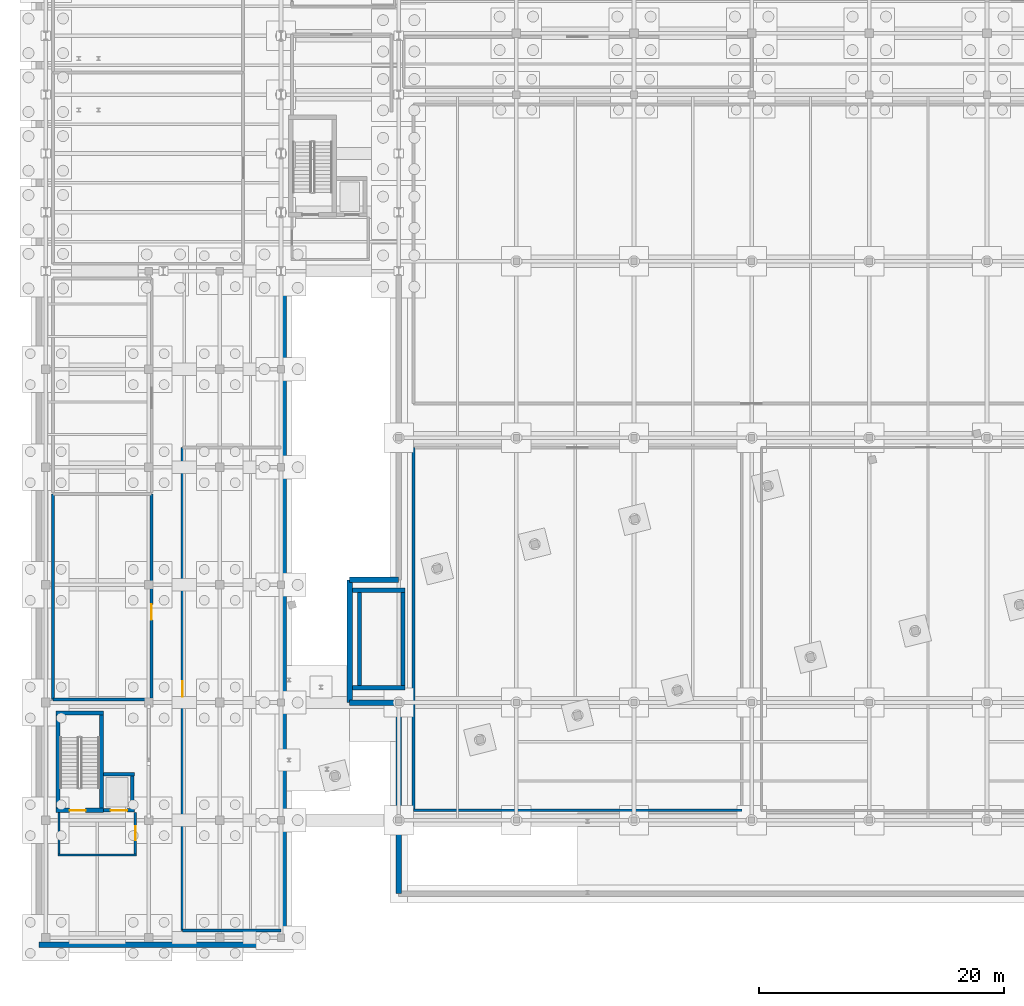
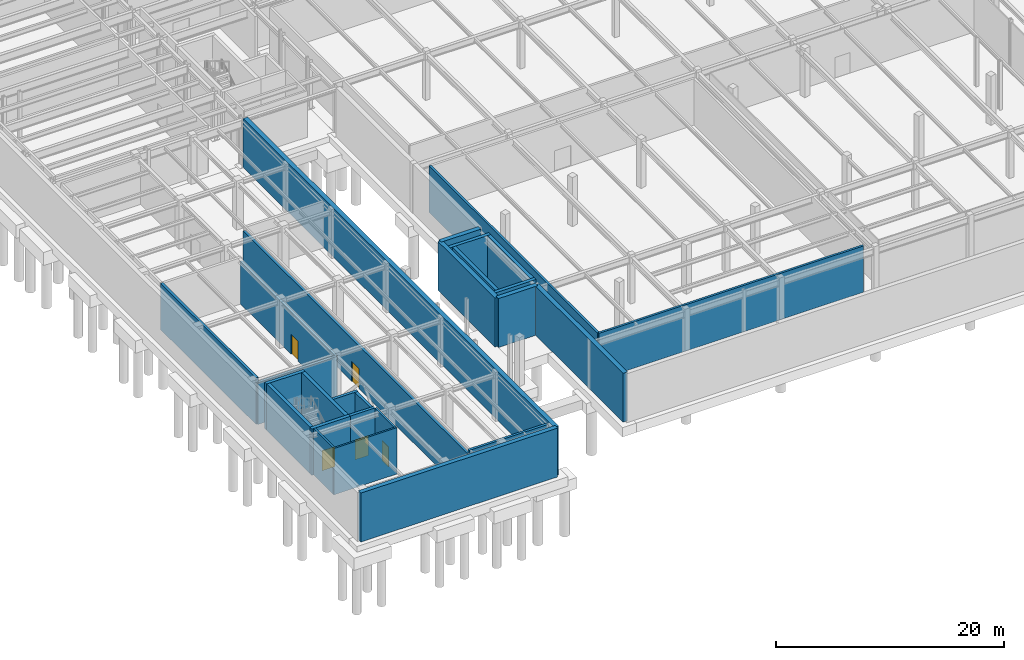
# One storey, part 22 of 33: 27 walls, 5 doors, 5 openings.
"""IFC4 building model written with IfcOpenShell, lengths in metres."""

import ifcopenshell
import ifcopenshell.guid

model = None  # the IFC model being written
_history = None  # IfcOwnerHistory: only IFC2X3 demands one
_inside = {}  # id of a spatial element -> (the spatial element, [elements in it])
_under = {}  # id of a project, library or spatial element -> (it, [spatial elements below it])
_declared = {}  # id of a project -> (the project, [libraries it declares])
_typed = {}  # id of a type object -> (the type object, [elements of that type])
_made_of = {}  # id of a material, layer set ... -> (it, [elements and type objects made of it])


def new_model(schema):
    """Start an empty IFC model of exactly this schema.

    Asked for "IFC4X3", IfcOpenShell would pick the latest addendum, in which some entities
    have other attributes; the version numbers below select the first issue.
    IFC2X3 requires an IfcOwnerHistory on every rooted entity: one is made here for all.
    """
    global model, _history
    if schema == "IFC4X3":
        model = ifcopenshell.file(schema_version=(4, 3, 0, 0))
    else:
        model = ifcopenshell.file(schema=schema)
    _inside.clear()
    _under.clear()
    _declared.clear()
    _typed.clear()
    _made_of.clear()
    _history = None
    if model.schema == "IFC2X3":
        org = make("IfcOrganization", Name="unknown")
        user = make(
            "IfcPersonAndOrganization",
            ThePerson=make("IfcPerson", FamilyName="unknown"),
            TheOrganization=org,
        )
        app = make(
            "IfcApplication",
            ApplicationDeveloper=org,
            Version="unknown",
            ApplicationFullName="unknown",
            ApplicationIdentifier="unknown",
        )
        _history = make(
            "IfcOwnerHistory",
            OwningUser=user,
            OwningApplication=app,
            ChangeAction="ADDED",
            CreationDate=0,
        )
    return model


def make(cls, **values):
    """One entity of the class cls with the attributes given. An attribute that is None is left unset."""
    return model.create_entity(
        cls, **{name: value for name, value in values.items() if value is not None}
    )


def rooted(cls, **values):
    """An entity with a GlobalId (a new one), such as an element, a storey or a relation."""
    return make(cls, GlobalId=ifcopenshell.guid.new(), OwnerHistory=_history, **values)


def si_unit(unit_type, name, prefix=None):
    """IfcSIUnit, for example si_unit("LENGTHUNIT", "METRE", prefix="MILLI")."""
    return make("IfcSIUnit", UnitType=unit_type, Prefix=prefix, Name=name)


def assignment(units):
    """IfcUnitAssignment: the units of a project."""
    return None if units is None else make("IfcUnitAssignment", Units=units)


def point(xyz):
    """IfcCartesianPoint."""
    return None if xyz is None else make("IfcCartesianPoint", Coordinates=xyz)


def direction(xyz):
    """IfcDirection."""
    return None if xyz is None else make("IfcDirection", DirectionRatios=xyz)


def frame(location, z_axis=None, x_axis=None):
    """IfcAxis2Placement3D, a coordinate frame: its origin and axes. An axis left out is left unset."""
    return make(
        "IfcAxis2Placement3D",
        Location=point(location),
        Axis=direction(z_axis),
        RefDirection=direction(x_axis),
    )


def frame_2d(location, x_axis=None):
    """IfcAxis2Placement2D, a coordinate frame in the plane: its origin and x axis."""
    return make(
        "IfcAxis2Placement2D", Location=point(location), RefDirection=direction(x_axis)
    )


def origin():
    """The frame at (0, 0, 0) with its axes left unset."""
    return frame((0.0, 0.0, 0.0))


def place(relative_to, where):
    """IfcLocalPlacement: puts the frame where relative to a parent placement (None: the world)."""
    return make(
        "IfcLocalPlacement", PlacementRelTo=relative_to, RelativePlacement=where
    )


def context(
    kind, dimensions, precision=None, world=None, true_north=None, identifier=None
):
    """IfcGeometricRepresentationContext, for example the 3D "Model" context."""
    return make(
        "IfcGeometricRepresentationContext",
        ContextIdentifier=identifier,
        ContextType=kind,
        CoordinateSpaceDimension=dimensions,
        Precision=precision,
        WorldCoordinateSystem=world,
        TrueNorth=true_north,
    )


def subcontext(parent, identifier, kind, view, scale=None):
    """IfcGeometricRepresentationSubContext, for example "Body" below "Model"."""
    return make(
        "IfcGeometricRepresentationSubContext",
        ContextIdentifier=identifier,
        ContextType=kind,
        ParentContext=parent,
        TargetScale=scale,
        TargetView=view,
    )


def project(units=None, contexts=None):
    """IfcProject with its units and contexts."""
    return rooted(
        "IfcProject",
        Name="project",
        RepresentationContexts=contexts,
        UnitsInContext=assignment(units),
    )


def spatial(cls, under=None, at=None, **own):
    """A site, building, storey or space (cls), placed at a placement, below another one or the project."""
    s = rooted(cls, ObjectPlacement=at, **own)
    if under is not None:
        _under.setdefault(under.id(), (under, []))[1].append(s)
    return s


def profile(cls, at=None, kind="AREA", **sizes):
    """A parametric profile (cls). Its sizes go by their IFC names, for example OverallWidth=200.0."""
    return make(cls, ProfileType=kind, Position=at, **sizes)


def rectangle(**sizes):
    """IfcRectangleProfileDef."""
    return profile("IfcRectangleProfileDef", **sizes)


def extrude(swept, where, along, depth):
    """IfcExtrudedAreaSolid: the profile swept, set in the frame where, extruded along a direction by depth."""
    return make(
        "IfcExtrudedAreaSolid",
        SweptArea=swept,
        Position=where,
        ExtrudedDirection=direction(along),
        Depth=depth,
    )


def shape(context_of_items, identifier, shape_type, items):
    """IfcShapeRepresentation: the items that make up one representation, for example the "Body"."""
    return make(
        "IfcShapeRepresentation",
        ContextOfItems=context_of_items,
        RepresentationIdentifier=identifier,
        RepresentationType=shape_type,
        Items=items,
    )


def material(Name=None, Category=None):
    """IfcMaterial."""
    return make("IfcMaterial", Name=Name, Category=Category)


def layer(
    of_material, thickness, ventilated=None, Name=None, Category=None, Priority=None
):
    """IfcMaterialLayer: one layer of a wall or slab, of a material (None: an air gap)."""
    return make(
        "IfcMaterialLayer",
        Material=of_material,
        LayerThickness=thickness,
        IsVentilated=ventilated,
        Name=Name,
        Category=Category,
        Priority=Priority,
    )


def layer_set(layers, Name=None):
    """IfcMaterialLayerSet."""
    return make("IfcMaterialLayerSet", MaterialLayers=layers, LayerSetName=Name)


def made_of(thing, what):
    """Note that an element or type object is made of a material, layer set ...; save() writes the relation."""
    if what is not None:
        _made_of.setdefault(what.id(), (what, []))[1].append(thing)
    return thing


def type_object(cls, material=None, **own):
    """A type object (cls), such as IfcWallType, which elements share."""
    return made_of(rooted(cls, **own), material)


def element(
    cls,
    number,
    at=None,
    inside=None,
    cuts=None,
    type_object=None,
    material=None,
    context=None,
    identifier="Body",
    shape_type=None,
    held_by="IfcProductDefinitionShape",
    body=None,
    shapes=None,
    **own,
):
    """One element of the class cls, such as IfcWall. Its Tag is "e" and its number.

    at: its placement. inside: the storey or other place that contains it. cuts: it is an
    opening in that element (IfcRelVoidsElement). A single representation is given by context,
    identifier, shape_type and body (its items); several are given by shapes. held_by: the class
    of the entity that holds the representations. save() writes the other relations.
    """
    e = rooted(cls, Tag="e%d" % number, ObjectPlacement=at, **own)
    if body is not None:
        shapes = [shape(context, identifier, shape_type, body)]
    if shapes is not None:
        e.Representation = make(held_by, Representations=shapes)
    if inside is not None:
        _inside.setdefault(inside.id(), (inside, []))[1].append(e)
    if cuts is not None:
        rooted(
            "IfcRelVoidsElement", RelatingBuildingElement=cuts, RelatedOpeningElement=e
        )
    if type_object is not None:
        _typed.setdefault(type_object.id(), (type_object, []))[1].append(e)
    return made_of(e, material)


def fill(opening, filler):
    """IfcRelFillsElement: the door or window that sits in an opening."""
    return rooted(
        "IfcRelFillsElement",
        RelatingOpeningElement=opening,
        RelatedBuildingElement=filler,
    )


def aggregate(whole, parts):
    """IfcRelAggregates: a whole, such as a stair, and the parts it consists of."""
    return rooted("IfcRelAggregates", RelatingObject=whole, RelatedObjects=parts)


def save(model, path):
    """Write the relations noted so far, then the file.

    IfcRelAggregates (storeys below a building ...), IfcRelContainedInSpatialStructure (elements
    in a storey), IfcRelDefinesByType, IfcRelAssociatesMaterial and IfcRelDeclares: one each for
    every whole, place, type object, material and project.
    """
    for whole, parts in _under.values():
        aggregate(whole, parts)
    for where, things in _inside.values():
        rooted(
            "IfcRelContainedInSpatialStructure",
            RelatedElements=things,
            RelatingStructure=where,
        )
    for kind, things in _typed.values():
        rooted("IfcRelDefinesByType", RelatedObjects=things, RelatingType=kind)
    for what, things in _made_of.values():
        rooted("IfcRelAssociatesMaterial", RelatedObjects=things, RelatingMaterial=what)
    for by, libraries in _declared.values():
        rooted("IfcRelDeclares", RelatingContext=by, RelatedDefinitions=libraries)
    model.write(path)


model = new_model("IFC4")

# Units and contexts
model_context = context("Model", 3, precision=1e-05, world=origin(), true_north=direction((0.0, 1.0)))
body_context = subcontext(model_context, "Body", "Model", "MODEL_VIEW")
ifc_project = project(units=[si_unit("LENGTHUNIT", "METRE"), si_unit("AREAUNIT", "SQUARE_METRE"), si_unit("VOLUMEUNIT", "CUBIC_METRE"), si_unit("PLANEANGLEUNIT", "RADIAN"), si_unit("MASSUNIT", "GRAM", prefix="KILO")], contexts=[model_context])

# Site, building, storey
site_placement = place(None, origin())
site = spatial("IfcSite", under=ifc_project, at=site_placement, CompositionType="ELEMENT")
building_placement = place(site_placement, origin())
building = spatial("IfcBuilding", under=site, at=building_placement, Name="Nordkorset Police Headquarters", CompositionType="ELEMENT")
storey_placement = place(building_placement, frame((0.0, 0.0, -9.800048828125)))
storey = spatial("IfcBuildingStorey", under=building, at=storey_placement, Name="B02", CompositionType="ELEMENT", Elevation=-9.800048828125)

# Walls
ifc_material_1 = material(Name="Gypsum board", Category="gypsum")
ifc_layer_1 = layer(ifc_material_1, 0.179931640625, Name="Gypsum board")
ifc_layer_set_1 = layer_set([ifc_layer_1], Name="Gypsum board")
wall_type_1 = type_object("IfcWallType", Name="Wall_Comp_180", PredefinedType="PARTITIONING", material=ifc_layer_set_1)
wall_1_placement = place(storey_placement, frame((1.0, 35.56005859375, 0.0), z_axis=(0.0, 0.0, 1.0), x_axis=(1.0, 0.0, 0.0)))
element("IfcWall", 1, at=wall_1_placement, inside=storey, type_object=wall_type_1, Name="Firefighting Lobby EI 60 Wall K4 B02 S", PredefinedType="PARTITIONING", context=body_context, shape_type="SweptSolid", body=[
    extrude(rectangle(XDim=6.39990234375, YDim=0.179931640625, at=frame_2d((3.199951171875, 0.0))), origin(), (0.0, 0.0, 1.0), 4.969970703125),
])
wall_2_placement = place(storey_placement, frame((1.090087890625, 35.64990234375, 0.0), z_axis=(0.0, 0.0, 1.0), x_axis=(0.0, 1.0, 0.0)))
element("IfcWall", 2, at=wall_2_placement, inside=storey, type_object=wall_type_1, Name="Firefighting Lobby EI 60 Wall K4 B02 W", PredefinedType="PARTITIONING", context=body_context, shape_type="SweptSolid", body=[
    extrude(rectangle(XDim=3.375, YDim=0.179931640625, at=frame_2d((1.6875, 0.0))), origin(), (0.0, 0.0, 1.0), 4.969970703125),
])

# Wall, opening, door
wall_3_placement = place(storey_placement, frame((7.31005859375, 35.64990234375, 0.0), z_axis=(0.0, 0.0, 1.0), x_axis=(0.0, 1.0, 0.0)))
wall_3 = element("IfcWall", 3, at=wall_3_placement, inside=storey, type_object=wall_type_1, Name="Firefighting Lobby EI 60 Wall K4 B02 E", PredefinedType="PARTITIONING", context=body_context, shape_type="SweptSolid", body=[
    extrude(rectangle(XDim=3.375, YDim=0.179931640625, at=frame_2d((1.6875, 0.0))), origin(), (0.0, 0.0, 1.0), 4.969970703125),
])
opening_1_placement = place(wall_3_placement, frame((1.112548828125, 0.0, 0.0)))
opening_1 = element("IfcOpeningElement", 4, at=opening_1_placement, cuts=wall_3, Name="Opening DR-01", PredefinedType="OPENING", context=body_context, shape_type="SweptSolid", body=[
    extrude(rectangle(XDim=1.14990234375, YDim=2.14990234375, at=frame_2d((0.574951171875, 1.074951171875))), frame((0.0, 0.10009765625, 0.0), z_axis=(0.0, -1.0, 0.0), x_axis=(1.0, 0.0, 0.0)), (0.0, 0.0, 1.0), 0.199951171875),
])
ifc_material_2 = material(Name="Steel S355J2", Category="steel")
door_type_1 = type_object("IfcDoorType", Name="Door_LobbySingle_1150x2150", OperationType="NOTDEFINED", PredefinedType="DOOR", material=ifc_material_2)
door_1_placement = place(opening_1_placement, origin())
door_1 = element("IfcDoor", 5, at=door_1_placement, inside=storey, type_object=door_type_1, Name="Firefighting Lobby Smoke Door K4 B02 E", OperationType="SINGLE_SWING_LEFT", OverallHeight=2.14990234375, OverallWidth=1.14990234375, PredefinedType="DOOR", context=body_context, shape_type="SweptSolid", body=[
    extrude(rectangle(XDim=1.14990234375, YDim=2.14990234375, at=frame_2d((0.574951171875, 1.074951171875))), frame((0.0, 0.02490234375, 0.0), z_axis=(0.0, -1.0, 0.0), x_axis=(1.0, 0.0, 0.0)), (0.0, 0.0, 1.0), 0.050048828125),
])
fill(opening_1, door_1)

# Walls
ifc_material_3 = material(Name="Gypsum board", Category="gypsum")
ifc_layer_2 = layer(ifc_material_3, 0.219970703125, Name="Gypsum board")
ifc_layer_set_2 = layer_set([ifc_layer_2], Name="Gypsum board")
wall_type_2 = type_object("IfcWallType", Name="Wall_Comp_220", PredefinedType="PARTITIONING", material=ifc_layer_set_2)
wall_4_placement = place(storey_placement, frame((30.0, 39.199951171875, 0.0), z_axis=(0.0, 0.0, 1.0), x_axis=(1.0, 0.0, 0.0)))
element("IfcWall", 6, at=wall_4_placement, inside=storey, type_object=wall_type_2, Name="Interior Partition Wall Basement Air Handling Plant Room", PredefinedType="PARTITIONING", context=body_context, shape_type="SweptSolid", body=[
    extrude(rectangle(XDim=26.800048828125, YDim=0.219970703125, at=frame_2d((13.39990234375, 0.0))), origin(), (0.0, 0.0, 1.0), 4.969970703125),
])
wall_5_placement = place(storey_placement, frame((30.0, 68.800048828125, 0.0), z_axis=(0.0, 0.0, 1.0), x_axis=(0.0, -1.0, 0.0)))
element("IfcWall", 7, at=wall_5_placement, inside=storey, type_object=wall_type_2, Name="Interior Partition Wall Basement Air Handling Plant Room", PredefinedType="PARTITIONING", context=body_context, shape_type="SweptSolid", body=[
    extrude(rectangle(XDim=29.60009765625, YDim=0.219970703125, at=frame_2d((14.800048828125, 0.0))), origin(), (0.0, 0.0, 1.0), 4.969970703125),
])

# Wall, opening, door
ifc_material_4 = material(Name="Concrete C35/45", Category="concrete")
ifc_layer_3 = layer(ifc_material_4, 0.35009765625, Name="Concrete C35/45")
ifc_layer_set_3 = layer_set([ifc_layer_3], Name="Concrete C35/45")
wall_type_3 = type_object("IfcWallType", Name="Wall_CoreShear_350", PredefinedType="SHEAR", material=ifc_layer_set_3)
wall_6_placement = place(storey_placement, frame((0.824951171875, 39.199951171875, 0.0), z_axis=(0.0, 0.0, 1.0), x_axis=(1.0, 0.0, 0.0)))
wall_6 = element("IfcWall", 8, at=wall_6_placement, inside=storey, type_object=wall_type_3, Name="Core K4 Stair Shaft South Shear Wall B02", PredefinedType="SHEAR", context=body_context, shape_type="SweptSolid", body=[
    extrude(rectangle(XDim=3.900146484375, YDim=0.35009765625, at=frame_2d((1.9501953125, 0.0))), origin(), (0.0, 0.0, 1.0), 4.969970703125),
])
opening_2_placement = place(wall_6_placement, frame((1.125, 0.0, 0.0)))
opening_2 = element("IfcOpeningElement", 9, at=opening_2_placement, cuts=wall_6, Name="Opening DR-20", PredefinedType="OPENING", context=body_context, shape_type="SweptSolid", body=[
    extrude(rectangle(XDim=1.300048828125, YDim=2.14990234375, at=frame_2d((0.64990234375, 1.074951171875))), frame((0.0, 0.18505859375, 0.0), z_axis=(0.0, -1.0, 0.0), x_axis=(1.0, 0.0, 0.0)), (0.0, 0.0, 1.0), 0.3701171875),
])
ifc_material_5 = material(Name="Steel S355J2", Category="steel")
door_type_2 = type_object("IfcDoorType", Name="Door_Stair_1300x2150", OperationType="NOTDEFINED", PredefinedType="DOOR", material=ifc_material_5)
door_2_placement = place(opening_2_placement, frame((1.300048828125, 0.0, 0.0), z_axis=(0.0, 0.0, 1.0), x_axis=(-1.0, 0.0, 0.0)))
door_2 = element("IfcDoor", 10, at=door_2_placement, inside=storey, type_object=door_type_2, Name="Protected Stair Fire Door ST-04 B02", OperationType="SINGLE_SWING_RIGHT", OverallHeight=2.14990234375, OverallWidth=1.300048828125, PredefinedType="DOOR", context=body_context, shape_type="SweptSolid", body=[
    extrude(rectangle(XDim=1.300048828125, YDim=2.14990234375, at=frame_2d((0.64990234375, 1.074951171875))), frame((0.0, 0.02490234375, 0.0), z_axis=(0.0, -1.0, 0.0), x_axis=(1.0, 0.0, 0.0)), (0.0, 0.0, 1.0), 0.050048828125),
])
fill(opening_2, door_2)

# Walls
wall_7_placement = place(storey_placement, frame((0.824951171875, 47.14990234375, 0.0), z_axis=(0.0, 0.0, 1.0), x_axis=(1.0, 0.0, 0.0)))
element("IfcWall", 11, at=wall_7_placement, inside=storey, type_object=wall_type_3, Name="Core K4 Stair Shaft North Shear Wall B02", PredefinedType="SHEAR", context=body_context, shape_type="SweptSolid", body=[
    extrude(rectangle(XDim=3.900146484375, YDim=0.35009765625, at=frame_2d((1.9501953125, 0.0))), origin(), (0.0, 0.0, 1.0), 4.969970703125),
])
for number, where, z_axis, x_axis, name in (
    (12, (1.0, 39.375, 0.0), (0.0, 0.0, 1.0), (0.0, 1.0, 0.0), "Core K4 Stair Shaft West Shear Wall B02"),
    (13, (4.550048828125, 39.375, 0.0), (0.0, 0.0, 1.0), (0.0, 1.0, 0.0), "Core K4 Stair Shaft East Shear Wall B02"),
):
    element("IfcWall", number, at=place(storey_placement, frame(where, z_axis=z_axis, x_axis=x_axis)), inside=storey, type_object=wall_type_3, Name=name, PredefinedType="SHEAR", context=body_context, shape_type="SweptSolid", body=[
        extrude(rectangle(XDim=7.60009765625, YDim=0.35009765625, at=frame_2d((3.800048828125, 0.0))), origin(), (0.0, 0.0, 1.0), 4.969970703125),
    ])
for number, where, z_axis, x_axis, name in (
    (14, (25.02490234375, 49.199951171875, 0.0), (0.0, 0.0, 1.0), (1.0, 0.0, 0.0), "Core K7 Stair Shaft South Shear Wall B02"),
    (15, (25.02490234375, 57.14990234375, 0.0), (0.0, 0.0, 1.0), (1.0, 0.0, 0.0), "Core K7 Stair Shaft North Shear Wall B02"),
):
    element("IfcWall", number, at=place(storey_placement, frame(where, z_axis=z_axis, x_axis=x_axis)), inside=storey, type_object=wall_type_3, Name=name, PredefinedType="SHEAR", context=body_context, shape_type="SweptSolid", body=[
        extrude(rectangle(XDim=4.300048828125, YDim=0.35009765625, at=frame_2d((2.14990234375, 0.0))), origin(), (0.0, 0.0, 1.0), 4.969970703125),
    ])
for number, where, z_axis, x_axis, name in (
    (16, (25.60009765625, 49.375, 0.0), (0.0, 0.0, 1.0), (0.0, 1.0, 0.0), "Core K7 Stair Shaft West Shear Wall B02"),
    (17, (29.14990234375, 49.375, 0.0), (0.0, 0.0, 1.0), (0.0, 1.0, 0.0), "Core K7 Stair Shaft East Shear Wall B02"),
):
    element("IfcWall", number, at=place(storey_placement, frame(where, z_axis=z_axis, x_axis=x_axis)), inside=storey, type_object=wall_type_3, Name=name, PredefinedType="SHEAR", context=body_context, shape_type="SweptSolid", body=[
        extrude(rectangle(XDim=7.60009765625, YDim=0.35009765625, at=frame_2d((3.800048828125, 0.0))), origin(), (0.0, 0.0, 1.0), 4.969970703125),
    ])
ifc_material_6 = material(Name="Concrete C40/50", Category="concrete")
ifc_layer_4 = layer(ifc_material_6, 0.449951171875, Name="Concrete C40/50")
ifc_layer_set_4 = layer_set([ifc_layer_4], Name="Concrete C40/50")
wall_type_4 = type_object("IfcWallType", Name="Wall_Retaining_450", PredefinedType="USERDEFINED", material=ifc_layer_set_4)
wall_8_placement = place(storey_placement, frame((-0.550048828125, 28.25, 0.0), z_axis=(0.0, 0.0, 1.0), x_axis=(1.0, 0.0, 0.0)))
element("IfcWall", 18, at=wall_8_placement, inside=storey, type_object=wall_type_4, Name="Basement Perimeter Retaining Wall B02 W-S1", ObjectType="RETAINING WALL", PredefinedType="USERDEFINED", context=body_context, shape_type="SweptSolid", body=[
    extrude(rectangle(XDim=19.949951171875, YDim=0.449951171875, at=frame_2d((9.97509765625, 0.0))), origin(), (0.0, 0.0, 1.0), 5.25),
])
wall_9_placement = place(storey_placement, frame((19.39990234375, 28.25, 0.0), z_axis=(0.0, 0.0, 1.0), x_axis=(0.0, 1.0, 0.0)))
element("IfcWall", 19, at=wall_9_placement, inside=storey, type_object=wall_type_4, Name="Basement Perimeter Retaining Wall B02 W-S2A", ObjectType="RETAINING WALL", PredefinedType="USERDEFINED", context=body_context, shape_type="SweptSolid", body=[
    extrude(rectangle(XDim=54.625, YDim=0.449951171875, at=frame_2d((27.3125, 0.0))), origin(), (0.0, 0.0, 1.0), 5.25),
])
wall_10_placement = place(storey_placement, frame((28.800048828125, 32.39990234375, 0.0), z_axis=(0.0, 0.0, 1.0), x_axis=(0.0, 1.0, 0.0)))
element("IfcWall", 20, at=wall_10_placement, inside=storey, type_object=wall_type_4, Name="Basement Perimeter Retaining Wall B02 W-S2B", ObjectType="RETAINING WALL", PredefinedType="USERDEFINED", context=body_context, shape_type="SweptSolid", body=[
    extrude(rectangle(XDim=15.60009765625, YDim=0.449951171875, at=frame_2d((7.800048828125, 0.0))), origin(), (0.0, 0.0, 1.0), 5.25),
])
wall_11_placement = place(storey_placement, frame((24.800048828125, 48.0, 0.0), z_axis=(0.0, 0.0, 1.0), x_axis=(1.0, 0.0, 0.0)))
element("IfcWall", 21, at=wall_11_placement, inside=storey, type_object=wall_type_4, Name="Basement Perimeter Retaining Wall B02 W-S2C", ObjectType="RETAINING WALL", PredefinedType="USERDEFINED", context=body_context, shape_type="SweptSolid", body=[
    extrude(rectangle(XDim=4.0, YDim=0.449951171875, at=frame_2d((2.0, 0.0))), origin(), (0.0, 0.0, 1.0), 5.25),
])
wall_12_placement = place(storey_placement, frame((24.800048828125, 48.0, 0.0), z_axis=(0.0, 0.0, 1.0), x_axis=(0.0, 1.0, 0.0)))
element("IfcWall", 22, at=wall_12_placement, inside=storey, type_object=wall_type_4, Name="Basement Perimeter Retaining Wall B02 W-S2D", ObjectType="RETAINING WALL", PredefinedType="USERDEFINED", context=body_context, shape_type="SweptSolid", body=[
    extrude(rectangle(XDim=10.0, YDim=0.449951171875, at=frame_2d((5.0, 0.0))), origin(), (0.0, 0.0, 1.0), 5.25),
])
wall_13_placement = place(storey_placement, frame((24.800048828125, 58.0, 0.0), z_axis=(0.0, 0.0, 1.0), x_axis=(1.0, 0.0, 0.0)))
element("IfcWall", 23, at=wall_13_placement, inside=storey, type_object=wall_type_4, Name="Basement Perimeter Retaining Wall B02 W-S2E", ObjectType="RETAINING WALL", PredefinedType="USERDEFINED", context=body_context, shape_type="SweptSolid", body=[
    extrude(rectangle(XDim=4.0, YDim=0.449951171875, at=frame_2d((2.0, 0.0))), origin(), (0.0, 0.0, 1.0), 5.25),
])

# Wall, opening, door
ifc_material_7 = material(Name="Concrete C35/45", Category="concrete")
ifc_layer_5 = layer(ifc_material_7, 0.300048828125, Name="Concrete C35/45")
ifc_layer_set_5 = layer_set([ifc_layer_5], Name="Concrete C35/45")
wall_type_5 = type_object("IfcWallType", Name="Wall_ShaftShear_300", PredefinedType="SHEAR", material=ifc_layer_set_5)
wall_14_placement = place(storey_placement, frame((4.72509765625, 39.199951171875, 0.0), z_axis=(0.0, 0.0, 1.0), x_axis=(1.0, 0.0, 0.0)))
wall_14 = element("IfcWall", 24, at=wall_14_placement, inside=storey, type_object=wall_type_5, Name="Lift Shaft LF-06 Front Shear Wall B02", PredefinedType="SHEAR", context=body_context, shape_type="SweptSolid", body=[
    extrude(rectangle(XDim=2.5, YDim=0.300048828125, at=frame_2d((1.25, 0.0))), origin(), (0.0, 0.0, 1.0), 4.969970703125),
])
opening_3_placement = place(wall_14_placement, frame((0.574951171875, 0.0, 0.0)))
opening_3 = element("IfcOpeningElement", 25, at=opening_3_placement, cuts=wall_14, Name="Opening LD-06", PredefinedType="OPENING", context=body_context, shape_type="SweptSolid", body=[
    extrude(rectangle(XDim=1.35009765625, YDim=2.14990234375, at=frame_2d((0.675048828125, 1.074951171875))), frame((0.0, 0.16015625, 0.0), z_axis=(0.0, -1.0, 0.0), x_axis=(1.0, 0.0, 0.0)), (0.0, 0.0, 1.0), 0.320068359375),
])
ifc_material_8 = material(Name="Steel S355J2", Category="steel")
door_type_3 = type_object("IfcDoorType", Name="Door_LiftGoods_1350x2150", OperationType="SLIDING_TO_RIGHT", PredefinedType="DOOR", material=ifc_material_8)
door_3_placement = place(opening_3_placement, frame((1.35009765625, 0.0, 0.0), z_axis=(0.0, 0.0, 1.0), x_axis=(-1.0, 0.0, 0.0)))
door_3 = element("IfcDoor", 26, at=door_3_placement, inside=storey, type_object=door_type_3, Name="Lift Landing Sliding Door LF-06 B02", OperationType="SLIDING_TO_RIGHT", OverallHeight=2.14990234375, OverallWidth=1.35009765625, PredefinedType="DOOR", context=body_context, shape_type="SweptSolid", body=[
    extrude(rectangle(XDim=1.35009765625, YDim=2.14990234375, at=frame_2d((0.675048828125, 1.074951171875))), frame((0.0, 0.02490234375, 0.0), z_axis=(0.0, -1.0, 0.0), x_axis=(1.0, 0.0, 0.0)), (0.0, 0.0, 1.0), 0.050048828125),
])
fill(opening_3, door_3)

# Walls
wall_15_placement = place(storey_placement, frame((4.72509765625, 42.14990234375, 0.0), z_axis=(0.0, 0.0, 1.0), x_axis=(1.0, 0.0, 0.0)))
element("IfcWall", 27, at=wall_15_placement, inside=storey, type_object=wall_type_5, Name="Lift Shaft LF-06 Rear Shear Wall B02", PredefinedType="SHEAR", context=body_context, shape_type="SweptSolid", body=[
    extrude(rectangle(XDim=2.5, YDim=0.300048828125, at=frame_2d((1.25, 0.0))), origin(), (0.0, 0.0, 1.0), 4.969970703125),
])
wall_16_placement = place(storey_placement, frame((7.050048828125, 39.35009765625, 0.0), z_axis=(0.0, 0.0, 1.0), x_axis=(0.0, 1.0, 0.0)))
element("IfcWall", 28, at=wall_16_placement, inside=storey, type_object=wall_type_5, Name="Lift Shaft LF-06 East Shear Wall B02", PredefinedType="SHEAR", context=body_context, shape_type="SweptSolid", body=[
    extrude(rectangle(XDim=2.64990234375, YDim=0.300048828125, at=frame_2d((1.324951171875, 0.0))), origin(), (0.0, 0.0, 1.0), 4.969970703125),
])
ifc_material_9 = material(Name="Concrete C35/45", Category="concrete")
ifc_layer_6 = layer(ifc_material_9, 0.25, Name="Concrete C35/45")
ifc_layer_set_6 = layer_set([ifc_layer_6], Name="Concrete C35/45")
wall_type_6 = type_object("IfcWallType", Name="Wall_VaultRC_250", PredefinedType="SOLIDWALL", material=ifc_layer_set_6)
wall_17_placement = place(storey_placement, frame((0.60009765625, 48.25, 0.0), z_axis=(0.0, 0.0, 1.0), x_axis=(1.0, 0.0, 0.0)))
element("IfcWall", 29, at=wall_17_placement, inside=storey, type_object=wall_type_6, Name="Interior Partition Wall Armoury Vault", PredefinedType="SOLIDWALL", context=body_context, shape_type="SweptSolid", body=[
    extrude(rectangle(XDim=8.039794921875, YDim=0.25, at=frame_2d((4.02001953125, 0.0))), origin(), (0.0, 0.0, 1.0), 4.510009765625),
])

# Wall, opening, door
wall_18_placement = place(storey_placement, frame((8.639892578125, 48.25, 0.0), z_axis=(0.0, 0.0, 1.0), x_axis=(0.0, 1.0, 0.0)))
wall_18 = element("IfcWall", 30, at=wall_18_placement, inside=storey, type_object=wall_type_6, Name="Interior Partition Wall Armoury Vault", PredefinedType="SOLIDWALL", context=body_context, shape_type="SweptSolid", body=[
    extrude(rectangle(XDim=16.75, YDim=0.25, at=frame_2d((8.375, 0.0))), origin(), (0.0, 0.0, 1.0), 4.510009765625),
])
opening_4_placement = place(wall_18_placement, frame((6.5, 0.0, 0.0)))
opening_4 = element("IfcOpeningElement", 31, at=opening_4_placement, cuts=wall_18, Name="Opening DR-04", PredefinedType="OPENING", context=body_context, shape_type="SweptSolid", body=[
    extrude(rectangle(XDim=1.25, YDim=2.14990234375, at=frame_2d((0.625, 1.074951171875))), frame((0.0, 0.135009765625, 0.0), z_axis=(0.0, -1.0, 0.0), x_axis=(1.0, 0.0, 0.0)), (0.0, 0.0, 1.0), 0.27001953125),
])
ifc_material_10 = material(Name="Steel S355J2", Category="steel")
door_type_4 = type_object("IfcDoorType", Name="Door_VaultArmoury_1250x2150", OperationType="NOTDEFINED", PredefinedType="DOOR", material=ifc_material_10)
door_4_placement = place(opening_4_placement, origin())
door_4 = element("IfcDoor", 32, at=door_4_placement, inside=storey, type_object=door_type_4, Name="Interior Door Armoury Vault", OperationType="SINGLE_SWING_RIGHT", OverallHeight=2.14990234375, OverallWidth=1.25, PredefinedType="DOOR", context=body_context, shape_type="SweptSolid", body=[
    extrude(rectangle(XDim=1.25, YDim=2.14990234375, at=frame_2d((0.625, 1.074951171875))), frame((0.0, 0.02490234375, 0.0), z_axis=(0.0, -1.0, 0.0), x_axis=(1.0, 0.0, 0.0)), (0.0, 0.0, 1.0), 0.050048828125),
])
fill(opening_4, door_4)

# Walls
wall_19_placement = place(storey_placement, frame((0.60009765625, 65.0, 0.0), z_axis=(0.0, 0.0, 1.0), x_axis=(0.0, -1.0, 0.0)))
element("IfcWall", 33, at=wall_19_placement, inside=storey, type_object=wall_type_6, Name="Interior Partition Wall Armoury Vault", PredefinedType="SOLIDWALL", context=body_context, shape_type="SweptSolid", body=[
    extrude(rectangle(XDim=16.75, YDim=0.25, at=frame_2d((8.375, 0.0))), origin(), (0.0, 0.0, 1.0), 4.969970703125),
])
wall_20_placement = place(storey_placement, frame((11.159912109375, 29.39990234375, 0.0), z_axis=(0.0, 0.0, 1.0), x_axis=(1.0, 0.0, 0.0)))
element("IfcWall", 34, at=wall_20_placement, inside=storey, type_object=wall_type_6, Name="Interior Partition Wall High-Value Seized Evidence Vault", PredefinedType="SOLIDWALL", context=body_context, shape_type="SweptSolid", body=[
    extrude(rectangle(XDim=8.02001953125, YDim=0.25, at=frame_2d((4.010009765625, 0.0))), origin(), (0.0, 0.0, 1.0), 4.969970703125),
])

# Wall, opening, door
wall_21_placement = place(storey_placement, frame((11.159912109375, 68.800048828125, 0.0), z_axis=(0.0, 0.0, 1.0), x_axis=(0.0, -1.0, 0.0)))
wall_21 = element("IfcWall", 35, at=wall_21_placement, inside=storey, type_object=wall_type_6, Name="Interior Partition Wall High-Value Seized Evidence Vault", PredefinedType="SOLIDWALL", context=body_context, shape_type="SweptSolid", body=[
    extrude(rectangle(XDim=39.400146484375, YDim=0.25, at=frame_2d((19.7001953125, 0.0))), origin(), (0.0, 0.0, 1.0), 4.590087890625),
])
opening_5_placement = place(wall_21_placement, frame((19.074951171875, 0.0, 0.0)))
opening_5 = element("IfcOpeningElement", 36, at=opening_5_placement, cuts=wall_21, Name="Opening DR-04", PredefinedType="OPENING", context=body_context, shape_type="SweptSolid", body=[
    extrude(rectangle(XDim=1.25, YDim=2.14990234375, at=frame_2d((0.625, 1.074951171875))), frame((0.0, 0.135009765625, 0.0), z_axis=(0.0, -1.0, 0.0), x_axis=(1.0, 0.0, 0.0)), (0.0, 0.0, 1.0), 0.27001953125),
])
door_5_placement = place(opening_5_placement, origin())
door_5 = element("IfcDoor", 37, at=door_5_placement, inside=storey, type_object=door_type_4, Name="Interior Door High-Value Seized Evidence Vault", OperationType="SINGLE_SWING_LEFT", OverallHeight=2.14990234375, OverallWidth=1.25, PredefinedType="DOOR", context=body_context, shape_type="SweptSolid", body=[
    extrude(rectangle(XDim=1.25, YDim=2.14990234375, at=frame_2d((0.625, 1.074951171875))), frame((0.0, 0.02490234375, 0.0), z_axis=(0.0, -1.0, 0.0), x_axis=(1.0, 0.0, 0.0)), (0.0, 0.0, 1.0), 0.050048828125),
])
fill(opening_5, door_5)

save(model, "model.ifc")
